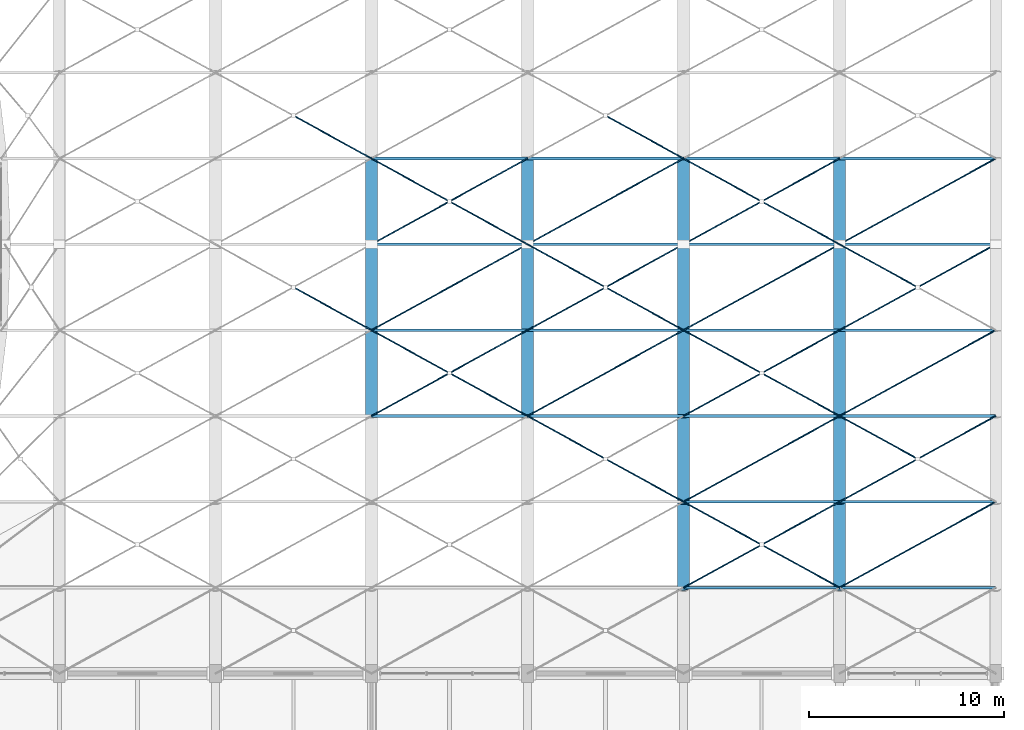
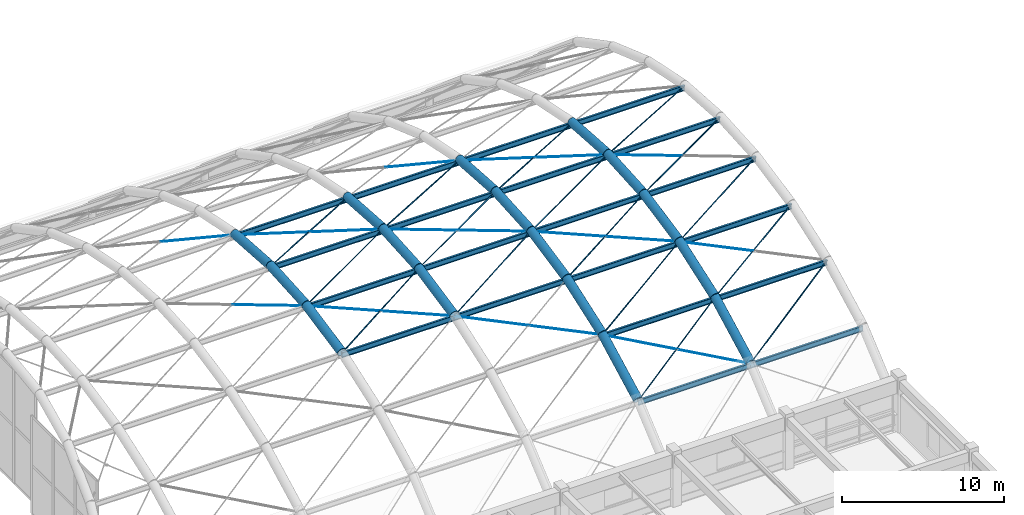
# One storey, part 83 of 126: 36 beams, 35 members.
"""IFC4 building model written with IfcOpenShell, lengths in metres."""

import ifcopenshell
import ifcopenshell.guid

model = None  # the IFC model being written
_history = None  # IfcOwnerHistory: only IFC2X3 demands one
_inside = {}  # id of a spatial element -> (the spatial element, [elements in it])
_under = {}  # id of a project, library or spatial element -> (it, [spatial elements below it])
_declared = {}  # id of a project -> (the project, [libraries it declares])
_typed = {}  # id of a type object -> (the type object, [elements of that type])
_made_of = {}  # id of a material, layer set ... -> (it, [elements and type objects made of it])


def new_model(schema):
    """Start an empty IFC model of exactly this schema.

    Asked for "IFC4X3", IfcOpenShell would pick the latest addendum, in which some entities
    have other attributes; the version numbers below select the first issue.
    IFC2X3 requires an IfcOwnerHistory on every rooted entity: one is made here for all.
    """
    global model, _history
    if schema == "IFC4X3":
        model = ifcopenshell.file(schema_version=(4, 3, 0, 0))
    else:
        model = ifcopenshell.file(schema=schema)
    _inside.clear()
    _under.clear()
    _declared.clear()
    _typed.clear()
    _made_of.clear()
    _history = None
    if model.schema == "IFC2X3":
        org = make("IfcOrganization", Name="unknown")
        user = make(
            "IfcPersonAndOrganization",
            ThePerson=make("IfcPerson", FamilyName="unknown"),
            TheOrganization=org,
        )
        app = make(
            "IfcApplication",
            ApplicationDeveloper=org,
            Version="unknown",
            ApplicationFullName="unknown",
            ApplicationIdentifier="unknown",
        )
        _history = make(
            "IfcOwnerHistory",
            OwningUser=user,
            OwningApplication=app,
            ChangeAction="ADDED",
            CreationDate=0,
        )
    return model


def make(cls, **values):
    """One entity of the class cls with the attributes given. An attribute that is None is left unset."""
    return model.create_entity(
        cls, **{name: value for name, value in values.items() if value is not None}
    )


def rooted(cls, **values):
    """An entity with a GlobalId (a new one), such as an element, a storey or a relation."""
    return make(cls, GlobalId=ifcopenshell.guid.new(), OwnerHistory=_history, **values)


def si_unit(unit_type, name, prefix=None):
    """IfcSIUnit, for example si_unit("LENGTHUNIT", "METRE", prefix="MILLI")."""
    return make("IfcSIUnit", UnitType=unit_type, Prefix=prefix, Name=name)


def assignment(units):
    """IfcUnitAssignment: the units of a project."""
    return None if units is None else make("IfcUnitAssignment", Units=units)


def point(xyz):
    """IfcCartesianPoint."""
    return None if xyz is None else make("IfcCartesianPoint", Coordinates=xyz)


def direction(xyz):
    """IfcDirection."""
    return None if xyz is None else make("IfcDirection", DirectionRatios=xyz)


def frame(location, z_axis=None, x_axis=None):
    """IfcAxis2Placement3D, a coordinate frame: its origin and axes. An axis left out is left unset."""
    return make(
        "IfcAxis2Placement3D",
        Location=point(location),
        Axis=direction(z_axis),
        RefDirection=direction(x_axis),
    )


def frame_2d(location, x_axis=None):
    """IfcAxis2Placement2D, a coordinate frame in the plane: its origin and x axis."""
    return make(
        "IfcAxis2Placement2D", Location=point(location), RefDirection=direction(x_axis)
    )


def origin():
    """The frame at (0, 0, 0) with its axes left unset."""
    return frame((0.0, 0.0, 0.0))


def origin_2d():
    """The frame at (0, 0) in the plane with its x axis left unset."""
    return frame_2d((0.0, 0.0))


def place(relative_to, where):
    """IfcLocalPlacement: puts the frame where relative to a parent placement (None: the world)."""
    return make(
        "IfcLocalPlacement", PlacementRelTo=relative_to, RelativePlacement=where
    )


def context(
    kind, dimensions, precision=None, world=None, true_north=None, identifier=None
):
    """IfcGeometricRepresentationContext, for example the 3D "Model" context."""
    return make(
        "IfcGeometricRepresentationContext",
        ContextIdentifier=identifier,
        ContextType=kind,
        CoordinateSpaceDimension=dimensions,
        Precision=precision,
        WorldCoordinateSystem=world,
        TrueNorth=true_north,
    )


def subcontext(parent, identifier, kind, view, scale=None):
    """IfcGeometricRepresentationSubContext, for example "Body" below "Model"."""
    return make(
        "IfcGeometricRepresentationSubContext",
        ContextIdentifier=identifier,
        ContextType=kind,
        ParentContext=parent,
        TargetScale=scale,
        TargetView=view,
    )


def project(units=None, contexts=None):
    """IfcProject with its units and contexts."""
    return rooted(
        "IfcProject",
        Name="project",
        RepresentationContexts=contexts,
        UnitsInContext=assignment(units),
    )


def spatial(cls, under=None, at=None, **own):
    """A site, building, storey or space (cls), placed at a placement, below another one or the project."""
    s = rooted(cls, ObjectPlacement=at, **own)
    if under is not None:
        _under.setdefault(under.id(), (under, []))[1].append(s)
    return s


def profile(cls, at=None, kind="AREA", **sizes):
    """A parametric profile (cls). Its sizes go by their IFC names, for example OverallWidth=200.0."""
    return make(cls, ProfileType=kind, Position=at, **sizes)


def circle(**sizes):
    """IfcCircleProfileDef."""
    return profile("IfcCircleProfileDef", **sizes)


def hollow_circle(**sizes):
    """IfcCircleHollowProfileDef."""
    return profile("IfcCircleHollowProfileDef", **sizes)


def i_section(**sizes):
    """IfcIShapeProfileDef."""
    return profile("IfcIShapeProfileDef", **sizes)


def extrude(swept, where, along, depth):
    """IfcExtrudedAreaSolid: the profile swept, set in the frame where, extruded along a direction by depth."""
    return make(
        "IfcExtrudedAreaSolid",
        SweptArea=swept,
        Position=where,
        ExtrudedDirection=direction(along),
        Depth=depth,
    )


def shape(context_of_items, identifier, shape_type, items):
    """IfcShapeRepresentation: the items that make up one representation, for example the "Body"."""
    return make(
        "IfcShapeRepresentation",
        ContextOfItems=context_of_items,
        RepresentationIdentifier=identifier,
        RepresentationType=shape_type,
        Items=items,
    )


def material(Name=None, Category=None):
    """IfcMaterial."""
    return make("IfcMaterial", Name=Name, Category=Category)


def material_profile(
    of_material, cross_section, Name=None, Category=None, Priority=None
):
    """IfcMaterialProfile: a cross section and its material."""
    return make(
        "IfcMaterialProfile",
        Name=Name,
        Material=of_material,
        Profile=cross_section,
        Priority=Priority,
        Category=Category,
    )


def profile_set(profiles, Name=None, composite=None):
    """IfcMaterialProfileSet."""
    return make(
        "IfcMaterialProfileSet",
        Name=Name,
        MaterialProfiles=profiles,
        CompositeProfile=composite,
    )


def made_of(thing, what):
    """Note that an element or type object is made of a material, layer set ...; save() writes the relation."""
    if what is not None:
        _made_of.setdefault(what.id(), (what, []))[1].append(thing)
    return thing


def type_object(cls, material=None, **own):
    """A type object (cls), such as IfcWallType, which elements share."""
    return made_of(rooted(cls, **own), material)


def element(
    cls,
    number,
    at=None,
    inside=None,
    cuts=None,
    type_object=None,
    material=None,
    context=None,
    identifier="Body",
    shape_type=None,
    held_by="IfcProductDefinitionShape",
    body=None,
    shapes=None,
    **own,
):
    """One element of the class cls, such as IfcWall. Its Tag is "e" and its number.

    at: its placement. inside: the storey or other place that contains it. cuts: it is an
    opening in that element (IfcRelVoidsElement). A single representation is given by context,
    identifier, shape_type and body (its items); several are given by shapes. held_by: the class
    of the entity that holds the representations. save() writes the other relations.
    """
    e = rooted(cls, Tag="e%d" % number, ObjectPlacement=at, **own)
    if body is not None:
        shapes = [shape(context, identifier, shape_type, body)]
    if shapes is not None:
        e.Representation = make(held_by, Representations=shapes)
    if inside is not None:
        _inside.setdefault(inside.id(), (inside, []))[1].append(e)
    if cuts is not None:
        rooted(
            "IfcRelVoidsElement", RelatingBuildingElement=cuts, RelatedOpeningElement=e
        )
    if type_object is not None:
        _typed.setdefault(type_object.id(), (type_object, []))[1].append(e)
    return made_of(e, material)


def aggregate(whole, parts):
    """IfcRelAggregates: a whole, such as a stair, and the parts it consists of."""
    return rooted("IfcRelAggregates", RelatingObject=whole, RelatedObjects=parts)


def save(model, path):
    """Write the relations noted so far, then the file.

    IfcRelAggregates (storeys below a building ...), IfcRelContainedInSpatialStructure (elements
    in a storey), IfcRelDefinesByType, IfcRelAssociatesMaterial and IfcRelDeclares: one each for
    every whole, place, type object, material and project.
    """
    for whole, parts in _under.values():
        aggregate(whole, parts)
    for where, things in _inside.values():
        rooted(
            "IfcRelContainedInSpatialStructure",
            RelatedElements=things,
            RelatingStructure=where,
        )
    for kind, things in _typed.values():
        rooted("IfcRelDefinesByType", RelatedObjects=things, RelatingType=kind)
    for what, things in _made_of.values():
        rooted("IfcRelAssociatesMaterial", RelatedObjects=things, RelatingMaterial=what)
    for by, libraries in _declared.values():
        rooted("IfcRelDeclares", RelatingContext=by, RelatedDefinitions=libraries)
    model.write(path)


model = new_model("IFC4")

# Units and contexts
model_context = context("Model", 3, precision=1e-05, world=origin(), true_north=direction((0.0, 1.0)))
body_context = subcontext(model_context, "Body", "Model", "MODEL_VIEW")
ifc_project = project(units=[si_unit("LENGTHUNIT", "METRE"), si_unit("AREAUNIT", "SQUARE_METRE"), si_unit("VOLUMEUNIT", "CUBIC_METRE"), si_unit("PLANEANGLEUNIT", "RADIAN"), si_unit("MASSUNIT", "GRAM", prefix="KILO")], contexts=[model_context])

# Site, building, storey
site_placement = place(None, origin())
site = spatial("IfcSite", under=ifc_project, at=site_placement, CompositionType="ELEMENT")
building_placement = place(site_placement, origin())
building = spatial("IfcBuilding", under=site, at=building_placement, Name="Varnabhumi Central Station", CompositionType="ELEMENT")
storey_placement = place(building_placement, frame((0.0, 0.0, 16.199951171875)))
storey = spatial("IfcBuildingStorey", under=building, at=storey_placement, Name="L03", CompositionType="ELEMENT", Elevation=16.199951171875)

# Beams
ifc_material_1 = material(Name="Structural steel E450", Category="steel")
ifc_material_profile_1 = material_profile(ifc_material_1, hollow_circle(Radius=0.304931640625, WallThickness=0.02490234375, at=origin_2d()), Name="Structural steel E450", Category="steel")
ifc_profile_set_1 = profile_set([ifc_material_profile_1], Name="Structural steel E450")
beam_type_1 = type_object("IfcBeamType", Name="BM-ARCH-CHS610", PredefinedType="BEAM", material=ifc_profile_set_1)
beam_1_placement = place(storey_placement, frame((152.0, 49.199951171875, 8.950927734375), z_axis=(0.0, 0.979624368007, 0.200838486367), x_axis=(-1.0, 0.0, 0.0)))
element("IfcBeam", 1, at=beam_1_placement, inside=storey, type_object=beam_type_1, Name="Platform Train-Shed Vault Arch Rib 4 Seg 4", PredefinedType="BEAM", context=body_context, shape_type="SweptSolid", body=[
    extrude(hollow_circle(Radius=0.304931640625, WallThickness=0.02490234375, at=origin_2d()), origin(), (0.0, 0.0, 1.0), 4.49169921875),
])
for number, where, z_axis, x_axis, name in (
    (2, (152.0, 53.60009765625, 9.85302734375), (0.0, 0.997727714155, 0.067375131957), (-1.0, 0.0, 0.0), "Platform Train-Shed Vault Arch Rib 4 Seg 5"),
    (3, (152.0, 58.0, 10.150146484375), (0.0, 0.997727714155, -0.067375131957), (-1.0, 0.0, 0.0), "Platform Train-Shed Vault Arch Rib 4 Seg 6"),
):
    element("IfcBeam", number, at=place(storey_placement, frame(where, z_axis=z_axis, x_axis=x_axis)), inside=storey, type_object=beam_type_1, Name=name, PredefinedType="BEAM", context=body_context, shape_type="SweptSolid", body=[
        extrude(hollow_circle(Radius=0.304931640625, WallThickness=0.02490234375, at=origin_2d()), origin(), (0.0, 0.0, 1.0), 4.409912109375),
    ])
beam_2_placement = place(storey_placement, frame((160.0, 49.199951171875, 8.950927734375), z_axis=(0.0, 0.979624368007, 0.200838486367), x_axis=(-1.0, 0.0, 0.0)))
element("IfcBeam", 4, at=beam_2_placement, inside=storey, type_object=beam_type_1, Name="Platform Train-Shed Vault Arch Rib 5 Seg 4", PredefinedType="BEAM", context=body_context, shape_type="SweptSolid", body=[
    extrude(hollow_circle(Radius=0.304931640625, WallThickness=0.02490234375, at=origin_2d()), origin(), (0.0, 0.0, 1.0), 4.49169921875),
])
for number, where, z_axis, x_axis, name in (
    (5, (160.0, 53.60009765625, 9.85302734375), (0.0, 0.997727714155, 0.067375131957), (-1.0, 0.0, 0.0), "Platform Train-Shed Vault Arch Rib 5 Seg 5"),
    (6, (160.0, 58.0, 10.150146484375), (0.0, 0.997727714155, -0.067375131957), (-1.0, 0.0, 0.0), "Platform Train-Shed Vault Arch Rib 5 Seg 6"),
):
    element("IfcBeam", number, at=place(storey_placement, frame(where, z_axis=z_axis, x_axis=x_axis)), inside=storey, type_object=beam_type_1, Name=name, PredefinedType="BEAM", context=body_context, shape_type="SweptSolid", body=[
        extrude(hollow_circle(Radius=0.304931640625, WallThickness=0.02490234375, at=origin_2d()), origin(), (0.0, 0.0, 1.0), 4.409912109375),
    ])
beam_3_placement = place(storey_placement, frame((168.0, 40.39990234375, 5.0966796875), z_axis=(0.0, 0.88562177592, 0.464407224337), x_axis=(-1.0, 0.0, 0.0)))
element("IfcBeam", 7, at=beam_3_placement, inside=storey, type_object=beam_type_1, Name="Platform Train-Shed Vault Arch Rib 6 Seg 2", PredefinedType="BEAM", context=body_context, shape_type="SweptSolid", body=[
    extrude(hollow_circle(Radius=0.304931640625, WallThickness=0.02490234375, at=origin_2d()), origin(), (0.0, 0.0, 1.0), 4.968505859375),
])
beam_4_placement = place(storey_placement, frame((168.0, 44.800048828125, 7.404052734375), z_axis=(0.0, 0.943395522007, 0.331669849486), x_axis=(-1.0, 0.0, 0.0)))
element("IfcBeam", 8, at=beam_4_placement, inside=storey, type_object=beam_type_1, Name="Platform Train-Shed Vault Arch Rib 6 Seg 3", PredefinedType="BEAM", context=body_context, shape_type="SweptSolid", body=[
    extrude(hollow_circle(Radius=0.304931640625, WallThickness=0.02490234375, at=origin_2d()), origin(), (0.0, 0.0, 1.0), 4.663818359375),
])
beam_5_placement = place(storey_placement, frame((168.0, 49.199951171875, 8.950927734375), z_axis=(0.0, 0.979624368007, 0.200838486367), x_axis=(-1.0, 0.0, 0.0)))
element("IfcBeam", 9, at=beam_5_placement, inside=storey, type_object=beam_type_1, Name="Platform Train-Shed Vault Arch Rib 6 Seg 4", PredefinedType="BEAM", context=body_context, shape_type="SweptSolid", body=[
    extrude(hollow_circle(Radius=0.304931640625, WallThickness=0.02490234375, at=origin_2d()), origin(), (0.0, 0.0, 1.0), 4.49169921875),
])
for number, where, z_axis, x_axis, name in (
    (10, (168.0, 53.60009765625, 9.85302734375), (0.0, 0.997727714155, 0.067375131957), (-1.0, 0.0, 0.0), "Platform Train-Shed Vault Arch Rib 6 Seg 5"),
    (11, (168.0, 58.0, 10.150146484375), (0.0, 0.997727714155, -0.067375131957), (-1.0, 0.0, 0.0), "Platform Train-Shed Vault Arch Rib 6 Seg 6"),
):
    element("IfcBeam", number, at=place(storey_placement, frame(where, z_axis=z_axis, x_axis=x_axis)), inside=storey, type_object=beam_type_1, Name=name, PredefinedType="BEAM", context=body_context, shape_type="SweptSolid", body=[
        extrude(hollow_circle(Radius=0.304931640625, WallThickness=0.02490234375, at=origin_2d()), origin(), (0.0, 0.0, 1.0), 4.409912109375),
    ])
beam_6_placement = place(storey_placement, frame((176.0, 40.39990234375, 5.0966796875), z_axis=(0.0, 0.88562177592, 0.464407224337), x_axis=(-1.0, 0.0, 0.0)))
element("IfcBeam", 12, at=beam_6_placement, inside=storey, type_object=beam_type_1, Name="Platform Train-Shed Vault Arch Rib 7 Seg 2", PredefinedType="BEAM", context=body_context, shape_type="SweptSolid", body=[
    extrude(hollow_circle(Radius=0.304931640625, WallThickness=0.02490234375, at=origin_2d()), origin(), (0.0, 0.0, 1.0), 4.968505859375),
])
beam_7_placement = place(storey_placement, frame((176.0, 44.800048828125, 7.404052734375), z_axis=(0.0, 0.943395522007, 0.331669849486), x_axis=(-1.0, 0.0, 0.0)))
element("IfcBeam", 13, at=beam_7_placement, inside=storey, type_object=beam_type_1, Name="Platform Train-Shed Vault Arch Rib 7 Seg 3", PredefinedType="BEAM", context=body_context, shape_type="SweptSolid", body=[
    extrude(hollow_circle(Radius=0.304931640625, WallThickness=0.02490234375, at=origin_2d()), origin(), (0.0, 0.0, 1.0), 4.663818359375),
])
beam_8_placement = place(storey_placement, frame((176.0, 49.199951171875, 8.950927734375), z_axis=(0.0, 0.979624368007, 0.200838486367), x_axis=(-1.0, 0.0, 0.0)))
element("IfcBeam", 14, at=beam_8_placement, inside=storey, type_object=beam_type_1, Name="Platform Train-Shed Vault Arch Rib 7 Seg 4", PredefinedType="BEAM", context=body_context, shape_type="SweptSolid", body=[
    extrude(hollow_circle(Radius=0.304931640625, WallThickness=0.02490234375, at=origin_2d()), origin(), (0.0, 0.0, 1.0), 4.49169921875),
])
for number, where, z_axis, x_axis, name in (
    (15, (176.0, 53.60009765625, 9.85302734375), (0.0, 0.997727714155, 0.067375131957), (-1.0, 0.0, 0.0), "Platform Train-Shed Vault Arch Rib 7 Seg 5"),
    (16, (176.0, 58.0, 10.150146484375), (0.0, 0.997727714155, -0.067375131957), (-1.0, 0.0, 0.0), "Platform Train-Shed Vault Arch Rib 7 Seg 6"),
):
    element("IfcBeam", number, at=place(storey_placement, frame(where, z_axis=z_axis, x_axis=x_axis)), inside=storey, type_object=beam_type_1, Name=name, PredefinedType="BEAM", context=body_context, shape_type="SweptSolid", body=[
        extrude(hollow_circle(Radius=0.304931640625, WallThickness=0.02490234375, at=origin_2d()), origin(), (0.0, 0.0, 1.0), 4.409912109375),
    ])
ifc_material_2 = material(Name="Structural steel E350", Category="steel")
ifc_material_profile_2 = material_profile(ifc_material_2, i_section(OverallWidth=0.139892578125, OverallDepth=0.39990234375, WebThickness=0.0087890625, FlangeThickness=0.01611328125, FilletRadius=0.013916015625, at=origin_2d()), Name="Structural steel E350", Category="steel")
ifc_profile_set_2 = profile_set([ifc_material_profile_2], Name="Structural steel E350")
beam_type_2 = type_object("IfcBeamType", Name="BM-PUR-ISMB400", PredefinedType="LINTEL", material=ifc_profile_set_2)
for number, where, z_axis, x_axis, name in (
    (17, (152.0, 49.199951171875, 8.7509765625), (1.0, 0.0, 0.0), (0.0, 1.0, 0.0), "Platform Train-Shed Vault Purlin B4-L3"),
    (18, (152.0, 53.60009765625, 9.65283203125), (1.0, 0.0, 0.0), (0.0, 1.0, 0.0), "Platform Train-Shed Vault Purlin B4-L4"),
    (19, (152.0, 58.0, 9.949951171875), (1.0, 0.0, 0.0), (0.0, 1.0, 0.0), "Platform Train-Shed Vault Purlin B4-L5"),
    (20, (152.0, 62.39990234375, 9.65283203125), (1.0, 0.0, 0.0), (0.0, 1.0, 0.0), "Platform Train-Shed Vault Purlin B4-L6"),
    (21, (160.0, 49.199951171875, 8.7509765625), (1.0, 0.0, 0.0), (0.0, 1.0, 0.0), "Platform Train-Shed Vault Purlin B5-L3"),
    (22, (160.0, 53.60009765625, 9.65283203125), (1.0, 0.0, 0.0), (0.0, 1.0, 0.0), "Platform Train-Shed Vault Purlin B5-L4"),
    (23, (160.0, 58.0, 9.949951171875), (1.0, 0.0, 0.0), (0.0, 1.0, 0.0), "Platform Train-Shed Vault Purlin B5-L5"),
    (24, (160.0, 62.39990234375, 9.65283203125), (1.0, 0.0, 0.0), (0.0, 1.0, 0.0), "Platform Train-Shed Vault Purlin B5-L6"),
    (25, (168.0, 40.39990234375, 4.896728515625), (1.0, 0.0, 0.0), (0.0, 1.0, 0.0), "Platform Train-Shed Vault Purlin B6-L1"),
    (26, (168.0, 44.800048828125, 7.203857421875), (1.0, 0.0, 0.0), (0.0, 1.0, 0.0), "Platform Train-Shed Vault Purlin B6-L2"),
    (27, (168.0, 49.199951171875, 8.7509765625), (1.0, 0.0, 0.0), (0.0, 1.0, 0.0), "Platform Train-Shed Vault Purlin B6-L3"),
    (28, (168.0, 53.60009765625, 9.65283203125), (1.0, 0.0, 0.0), (0.0, 1.0, 0.0), "Platform Train-Shed Vault Purlin B6-L4"),
    (29, (168.0, 58.0, 9.949951171875), (1.0, 0.0, 0.0), (0.0, 1.0, 0.0), "Platform Train-Shed Vault Purlin B6-L5"),
    (30, (168.0, 62.39990234375, 9.65283203125), (1.0, 0.0, 0.0), (0.0, 1.0, 0.0), "Platform Train-Shed Vault Purlin B6-L6"),
    (31, (176.0, 40.39990234375, 4.896728515625), (1.0, 0.0, 0.0), (0.0, 1.0, 0.0), "Platform Train-Shed Vault Purlin B7-L1"),
    (32, (176.0, 44.800048828125, 7.203857421875), (1.0, 0.0, 0.0), (0.0, 1.0, 0.0), "Platform Train-Shed Vault Purlin B7-L2"),
    (33, (176.0, 49.199951171875, 8.7509765625), (1.0, 0.0, 0.0), (0.0, 1.0, 0.0), "Platform Train-Shed Vault Purlin B7-L3"),
    (34, (176.0, 53.60009765625, 9.65283203125), (1.0, 0.0, 0.0), (0.0, 1.0, 0.0), "Platform Train-Shed Vault Purlin B7-L4"),
    (35, (176.0, 58.0, 9.949951171875), (1.0, 0.0, 0.0), (0.0, 1.0, 0.0), "Platform Train-Shed Vault Purlin B7-L5"),
    (36, (176.0, 62.39990234375, 9.65283203125), (1.0, 0.0, 0.0), (0.0, 1.0, 0.0), "Platform Train-Shed Vault Purlin B7-L6"),
):
    element("IfcBeam", number, at=place(storey_placement, frame(where, z_axis=z_axis, x_axis=x_axis)), inside=storey, type_object=beam_type_2, Name=name, PredefinedType="LINTEL", context=body_context, shape_type="SweptSolid", body=[
        extrude(i_section(OverallWidth=0.139892578125, OverallDepth=0.39990234375, WebThickness=0.0087890625, FlangeThickness=0.01611328125, FilletRadius=0.013916015625, at=origin_2d()), origin(), (0.0, 0.0, 1.0), 8.0),
    ])

# Members
ifc_material_3 = material(Name="Spiral-strand steel S1570", Category="steel")
ifc_material_profile_3 = material_profile(ifc_material_3, circle(Radius=0.030029296875, at=origin_2d()), Name="Spiral-strand steel S1570", Category="steel")
ifc_profile_set_3 = profile_set([ifc_material_profile_3], Name="Spiral-strand steel S1570")
member_type = type_object("IfcMemberType", Name="MBR-CABLE-D60", PredefinedType="USERDEFINED", material=ifc_profile_set_3)
member_1_placement = place(storey_placement, frame((148.0, 55.800048828125, 9.92138671875), z_axis=(0.87575758275, -0.481655980113, -0.032498816547), x_axis=(0.481910537812, 0.876220425204, 0.0)))
element("IfcMember", 37, at=member_1_placement, inside=storey, type_object=member_type, Name="Platform Train-Shed Vault Cable-Net Split Tie B3-P5B2", ObjectType="TENSION CABLE", PredefinedType="USERDEFINED", context=body_context, shape_type="SweptSolid", body=[
    extrude(circle(Radius=0.030029296875, at=origin_2d()), origin(), (0.0, 0.0, 1.0), 4.5673828125),
])
member_2_placement = place(storey_placement, frame((148.0, 64.60009765625, 9.322021484375), z_axis=(0.871954513788, -0.479617558487, 0.098297118345), x_axis=(0.481951596342, 0.876197842262, 0.0)))
element("IfcMember", 38, at=member_2_placement, inside=storey, type_object=member_type, Name="Platform Train-Shed Vault Cable-Net Split Tie B3-P7B2", ObjectType="TENSION CABLE", PredefinedType="USERDEFINED", context=body_context, shape_type="SweptSolid", body=[
    extrude(circle(Radius=0.030029296875, at=origin_2d()), origin(), (0.0, 0.0, 1.0), 4.58740234375),
])
member_3_placement = place(storey_placement, frame((152.0, 49.199951171875, 8.870849609375), z_axis=(0.871963360953, 0.47959581465, 0.098324725913), x_axis=(-0.481931067474, 0.876209133828, 0.0)))
element("IfcMember", 39, at=member_3_placement, inside=storey, type_object=member_type, Name="Platform Train-Shed Vault Cable-Net Tie B4-P4A", ObjectType="TENSION CABLE", PredefinedType="USERDEFINED", context=body_context, shape_type="SweptSolid", body=[
    extrude(circle(Radius=0.030029296875, at=origin_2d()), origin(), (0.0, 0.0, 1.0), 9.1748046875),
])
for number, where, z_axis, x_axis, name in (
    (40, (152.0, 53.60009765625, 9.77294921875), (0.871954513788, -0.479617558487, -0.098297118345), (0.481951596342, 0.876197842262, 0.0), "Platform Train-Shed Vault Cable-Net Split Tie B4-P4B1"),
    (41, (156.0, 51.39990234375, 9.322021484375), (0.871972207152, -0.479574069742, -0.098352333912), (0.481910537812, 0.876220425204, 0.0), "Platform Train-Shed Vault Cable-Net Split Tie B4-P4B2"),
):
    element("IfcMember", number, at=place(storey_placement, frame(where, z_axis=z_axis, x_axis=x_axis)), inside=storey, type_object=member_type, Name=name, ObjectType="TENSION CABLE", PredefinedType="USERDEFINED", context=body_context, shape_type="SweptSolid", body=[
        extrude(circle(Radius=0.030029296875, at=origin_2d()), origin(), (0.0, 0.0, 1.0), 4.58740234375),
    ])
for number, where, z_axis, x_axis, name in (
    (42, (152.0, 53.60009765625, 9.77294921875), (0.875756821788, 0.481655561592, 0.032525514286), (-0.481910537812, 0.876220425204, 0.0), "Platform Train-Shed Vault Cable-Net Tie B4-P5A"),
    (43, (152.0, 58.0, 10.070068359375), (0.875756821788, 0.481655561592, -0.032525514286), (-0.481910537812, 0.876220425204, 0.0), "Platform Train-Shed Vault Cable-Net Tie B4-P6A"),
):
    element("IfcMember", number, at=place(storey_placement, frame(where, z_axis=z_axis, x_axis=x_axis)), inside=storey, type_object=member_type, Name=name, ObjectType="TENSION CABLE", PredefinedType="USERDEFINED", context=body_context, shape_type="SweptSolid", body=[
        extrude(circle(Radius=0.030029296875, at=origin_2d()), origin(), (0.0, 0.0, 1.0), 9.135009765625),
    ])
for number, where, z_axis, x_axis, name in (
    (44, (152.0, 62.39990234375, 9.77294921875), (0.87575758275, -0.481655980113, 0.032498816547), (0.481910537812, 0.876220425204, 0.0), "Platform Train-Shed Vault Cable-Net Split Tie B4-P6B1"),
    (45, (156.0, 60.199951171875, 9.92138671875), (0.875756060201, -0.481655142729, 0.032552211955), (0.481910537812, 0.876220425204, 0.0), "Platform Train-Shed Vault Cable-Net Split Tie B4-P6B2"),
):
    element("IfcMember", number, at=place(storey_placement, frame(where, z_axis=z_axis, x_axis=x_axis)), inside=storey, type_object=member_type, Name=name, ObjectType="TENSION CABLE", PredefinedType="USERDEFINED", context=body_context, shape_type="SweptSolid", body=[
        extrude(circle(Radius=0.030029296875, at=origin_2d()), origin(), (0.0, 0.0, 1.0), 4.5673828125),
    ])
for number, where, z_axis, x_axis, name in (
    (46, (160.0, 49.199951171875, 8.870849609375), (0.863908907652, -0.475139353446, -0.167044886441), (0.481910537812, 0.876220425204, 0.0), "Platform Train-Shed Vault Cable-Net Split Tie B5-P3B1"),
    (47, (164.0, 47.0, 8.097412109375), (0.863908907652, -0.475139353446, -0.167044886441), (0.481910537812, 0.876220425204, 0.0), "Platform Train-Shed Vault Cable-Net Split Tie B5-P3B2"),
):
    element("IfcMember", number, at=place(storey_placement, frame(where, z_axis=z_axis, x_axis=x_axis)), inside=storey, type_object=member_type, Name=name, ObjectType="TENSION CABLE", PredefinedType="USERDEFINED", context=body_context, shape_type="SweptSolid", body=[
        extrude(circle(Radius=0.030029296875, at=origin_2d()), origin(), (0.0, 0.0, 1.0), 4.630126953125),
    ])
member_4_placement = place(storey_placement, frame((160.0, 49.199951171875, 8.870849609375), z_axis=(0.871963360953, 0.47959581465, 0.098324725913), x_axis=(-0.481931067474, 0.876209133828, 0.0)))
element("IfcMember", 48, at=member_4_placement, inside=storey, type_object=member_type, Name="Platform Train-Shed Vault Cable-Net Tie B5-P4A", ObjectType="TENSION CABLE", PredefinedType="USERDEFINED", context=body_context, shape_type="SweptSolid", body=[
    extrude(circle(Radius=0.030029296875, at=origin_2d()), origin(), (0.0, 0.0, 1.0), 9.1748046875),
])
member_5_placement = place(storey_placement, frame((160.0, 53.60009765625, 9.77294921875), z_axis=(0.875756821788, 0.481655561592, 0.032525514286), x_axis=(-0.481910537812, 0.876220425204, 0.0)))
element("IfcMember", 49, at=member_5_placement, inside=storey, type_object=member_type, Name="Platform Train-Shed Vault Cable-Net Tie B5-P5A", ObjectType="TENSION CABLE", PredefinedType="USERDEFINED", context=body_context, shape_type="SweptSolid", body=[
    extrude(circle(Radius=0.030029296875, at=origin_2d()), origin(), (0.0, 0.0, 1.0), 9.135009765625),
])
for number, where, z_axis, x_axis, name in (
    (50, (160.0, 58.0, 10.070068359375), (0.875756060201, -0.481655142729, -0.032552211955), (0.481910537812, 0.876220425204, 0.0), "Platform Train-Shed Vault Cable-Net Split Tie B5-P5B1"),
    (51, (164.0, 55.800048828125, 9.92138671875), (0.87575758275, -0.481655980113, -0.032498816547), (0.481910537812, 0.876220425204, 0.0), "Platform Train-Shed Vault Cable-Net Split Tie B5-P5B2"),
):
    element("IfcMember", number, at=place(storey_placement, frame(where, z_axis=z_axis, x_axis=x_axis)), inside=storey, type_object=member_type, Name=name, ObjectType="TENSION CABLE", PredefinedType="USERDEFINED", context=body_context, shape_type="SweptSolid", body=[
        extrude(circle(Radius=0.030029296875, at=origin_2d()), origin(), (0.0, 0.0, 1.0), 4.5673828125),
    ])
member_6_placement = place(storey_placement, frame((160.0, 58.0, 10.070068359375), z_axis=(0.875756821788, 0.481655561592, -0.032525514286), x_axis=(-0.481910537812, 0.876220425204, 0.0)))
element("IfcMember", 52, at=member_6_placement, inside=storey, type_object=member_type, Name="Platform Train-Shed Vault Cable-Net Tie B5-P6A", ObjectType="TENSION CABLE", PredefinedType="USERDEFINED", context=body_context, shape_type="SweptSolid", body=[
    extrude(circle(Radius=0.030029296875, at=origin_2d()), origin(), (0.0, 0.0, 1.0), 9.135009765625),
])
member_7_placement = place(storey_placement, frame((164.0, 64.60009765625, 9.322021484375), z_axis=(0.871954513788, -0.479617558487, 0.098297118345), x_axis=(0.481951596342, 0.876197842262, 0.0)))
element("IfcMember", 53, at=member_7_placement, inside=storey, type_object=member_type, Name="Platform Train-Shed Vault Cable-Net Split Tie B5-P7B2", ObjectType="TENSION CABLE", PredefinedType="USERDEFINED", context=body_context, shape_type="SweptSolid", body=[
    extrude(circle(Radius=0.030029296875, at=origin_2d()), origin(), (0.0, 0.0, 1.0), 4.58740234375),
])
member_8_placement = place(storey_placement, frame((168.0, 40.39990234375, 5.0166015625), z_axis=(0.849501727798, 0.46724150513, 0.245014673749), x_axis=(-0.481931067474, 0.876209133828, 0.0)))
element("IfcMember", 54, at=member_8_placement, inside=storey, type_object=member_type, Name="Platform Train-Shed Vault Cable-Net Tie B6-P2A", ObjectType="TENSION CABLE", PredefinedType="USERDEFINED", context=body_context, shape_type="SweptSolid", body=[
    extrude(circle(Radius=0.030029296875, at=origin_2d()), origin(), (0.0, 0.0, 1.0), 9.417236328125),
])
member_9_placement = place(storey_placement, frame((168.0, 44.800048828125, 7.323974609375), z_axis=(0.849517413756, -0.46722420748, -0.244993272705), x_axis=(0.481910537812, 0.876220425204, 0.0)))
element("IfcMember", 55, at=member_9_placement, inside=storey, type_object=member_type, Name="Platform Train-Shed Vault Cable-Net Split Tie B6-P2B1", ObjectType="TENSION CABLE", PredefinedType="USERDEFINED", context=body_context, shape_type="SweptSolid", body=[
    extrude(circle(Radius=0.030029296875, at=origin_2d()), origin(), (0.0, 0.0, 1.0), 4.70849609375),
])
member_10_placement = place(storey_placement, frame((172.0, 42.60009765625, 6.17041015625), z_axis=(0.849486041567, -0.467258801672, -0.245036073758), x_axis=(0.481951596342, 0.876197842262, 0.0)))
element("IfcMember", 56, at=member_10_placement, inside=storey, type_object=member_type, Name="Platform Train-Shed Vault Cable-Net Split Tie B6-P2B2", ObjectType="TENSION CABLE", PredefinedType="USERDEFINED", context=body_context, shape_type="SweptSolid", body=[
    extrude(circle(Radius=0.030029296875, at=origin_2d()), origin(), (0.0, 0.0, 1.0), 4.708740234375),
])
member_11_placement = place(storey_placement, frame((168.0, 44.800048828125, 7.323974609375), z_axis=(0.863908907652, 0.475139353446, 0.167044886441), x_axis=(-0.481910537812, 0.876220425204, 0.0)))
element("IfcMember", 57, at=member_11_placement, inside=storey, type_object=member_type, Name="Platform Train-Shed Vault Cable-Net Tie B6-P3A", ObjectType="TENSION CABLE", PredefinedType="USERDEFINED", context=body_context, shape_type="SweptSolid", body=[
    extrude(circle(Radius=0.030029296875, at=origin_2d()), origin(), (0.0, 0.0, 1.0), 9.26025390625),
])
member_12_placement = place(storey_placement, frame((168.0, 49.199951171875, 8.870849609375), z_axis=(0.871963360953, 0.47959581465, 0.098324725913), x_axis=(-0.481931067474, 0.876209133828, 0.0)))
element("IfcMember", 58, at=member_12_placement, inside=storey, type_object=member_type, Name="Platform Train-Shed Vault Cable-Net Tie B6-P4A", ObjectType="TENSION CABLE", PredefinedType="USERDEFINED", context=body_context, shape_type="SweptSolid", body=[
    extrude(circle(Radius=0.030029296875, at=origin_2d()), origin(), (0.0, 0.0, 1.0), 9.1748046875),
])
for number, where, z_axis, x_axis, name in (
    (59, (168.0, 53.60009765625, 9.77294921875), (0.871954513788, -0.479617558487, -0.098297118345), (0.481951596342, 0.876197842262, 0.0), "Platform Train-Shed Vault Cable-Net Split Tie B6-P4B1"),
    (60, (172.0, 51.39990234375, 9.322021484375), (0.871972207152, -0.479574069742, -0.098352333912), (0.481910537812, 0.876220425204, 0.0), "Platform Train-Shed Vault Cable-Net Split Tie B6-P4B2"),
):
    element("IfcMember", number, at=place(storey_placement, frame(where, z_axis=z_axis, x_axis=x_axis)), inside=storey, type_object=member_type, Name=name, ObjectType="TENSION CABLE", PredefinedType="USERDEFINED", context=body_context, shape_type="SweptSolid", body=[
        extrude(circle(Radius=0.030029296875, at=origin_2d()), origin(), (0.0, 0.0, 1.0), 4.58740234375),
    ])
for number, where, z_axis, x_axis, name in (
    (61, (168.0, 53.60009765625, 9.77294921875), (0.875756821788, 0.481655561592, 0.032525514286), (-0.481910537812, 0.876220425204, 0.0), "Platform Train-Shed Vault Cable-Net Tie B6-P5A"),
    (62, (168.0, 58.0, 10.070068359375), (0.875756821788, 0.481655561592, -0.032525514286), (-0.481910537812, 0.876220425204, 0.0), "Platform Train-Shed Vault Cable-Net Tie B6-P6A"),
):
    element("IfcMember", number, at=place(storey_placement, frame(where, z_axis=z_axis, x_axis=x_axis)), inside=storey, type_object=member_type, Name=name, ObjectType="TENSION CABLE", PredefinedType="USERDEFINED", context=body_context, shape_type="SweptSolid", body=[
        extrude(circle(Radius=0.030029296875, at=origin_2d()), origin(), (0.0, 0.0, 1.0), 9.135009765625),
    ])
for number, where, z_axis, x_axis, name in (
    (63, (168.0, 62.39990234375, 9.77294921875), (0.87575758275, -0.481655980113, 0.032498816547), (0.481910537812, 0.876220425204, 0.0), "Platform Train-Shed Vault Cable-Net Split Tie B6-P6B1"),
    (64, (172.0, 60.199951171875, 9.92138671875), (0.875756060201, -0.481655142729, 0.032552211955), (0.481910537812, 0.876220425204, 0.0), "Platform Train-Shed Vault Cable-Net Split Tie B6-P6B2"),
):
    element("IfcMember", number, at=place(storey_placement, frame(where, z_axis=z_axis, x_axis=x_axis)), inside=storey, type_object=member_type, Name=name, ObjectType="TENSION CABLE", PredefinedType="USERDEFINED", context=body_context, shape_type="SweptSolid", body=[
        extrude(circle(Radius=0.030029296875, at=origin_2d()), origin(), (0.0, 0.0, 1.0), 4.5673828125),
    ])
member_13_placement = place(storey_placement, frame((176.0, 40.39990234375, 5.0166015625), z_axis=(0.849501727798, 0.46724150513, 0.245014673749), x_axis=(-0.481931067474, 0.876209133828, 0.0)))
element("IfcMember", 65, at=member_13_placement, inside=storey, type_object=member_type, Name="Platform Train-Shed Vault Cable-Net Tie B7-P2A", ObjectType="TENSION CABLE", PredefinedType="USERDEFINED", context=body_context, shape_type="SweptSolid", body=[
    extrude(circle(Radius=0.030029296875, at=origin_2d()), origin(), (0.0, 0.0, 1.0), 9.417236328125),
])
member_14_placement = place(storey_placement, frame((176.0, 44.800048828125, 7.323974609375), z_axis=(0.863908907652, 0.475139353446, 0.167044886441), x_axis=(-0.481910537812, 0.876220425204, 0.0)))
element("IfcMember", 66, at=member_14_placement, inside=storey, type_object=member_type, Name="Platform Train-Shed Vault Cable-Net Tie B7-P3A", ObjectType="TENSION CABLE", PredefinedType="USERDEFINED", context=body_context, shape_type="SweptSolid", body=[
    extrude(circle(Radius=0.030029296875, at=origin_2d()), origin(), (0.0, 0.0, 1.0), 9.26025390625),
])
member_15_placement = place(storey_placement, frame((176.0, 49.199951171875, 8.870849609375), z_axis=(0.863908907652, -0.475139353446, -0.167044886441), x_axis=(0.481910537812, 0.876220425204, 0.0)))
element("IfcMember", 67, at=member_15_placement, inside=storey, type_object=member_type, Name="Platform Train-Shed Vault Cable-Net Split Tie B7-P3B1", ObjectType="TENSION CABLE", PredefinedType="USERDEFINED", context=body_context, shape_type="SweptSolid", body=[
    extrude(circle(Radius=0.030029296875, at=origin_2d()), origin(), (0.0, 0.0, 1.0), 4.630126953125),
])
member_16_placement = place(storey_placement, frame((176.0, 49.199951171875, 8.870849609375), z_axis=(0.871963360953, 0.47959581465, 0.098324725913), x_axis=(-0.481931067474, 0.876209133828, 0.0)))
element("IfcMember", 68, at=member_16_placement, inside=storey, type_object=member_type, Name="Platform Train-Shed Vault Cable-Net Tie B7-P4A", ObjectType="TENSION CABLE", PredefinedType="USERDEFINED", context=body_context, shape_type="SweptSolid", body=[
    extrude(circle(Radius=0.030029296875, at=origin_2d()), origin(), (0.0, 0.0, 1.0), 9.1748046875),
])
member_17_placement = place(storey_placement, frame((176.0, 53.60009765625, 9.77294921875), z_axis=(0.875756821788, 0.481655561592, 0.032525514286), x_axis=(-0.481910537812, 0.876220425204, 0.0)))
element("IfcMember", 69, at=member_17_placement, inside=storey, type_object=member_type, Name="Platform Train-Shed Vault Cable-Net Tie B7-P5A", ObjectType="TENSION CABLE", PredefinedType="USERDEFINED", context=body_context, shape_type="SweptSolid", body=[
    extrude(circle(Radius=0.030029296875, at=origin_2d()), origin(), (0.0, 0.0, 1.0), 9.135009765625),
])
member_18_placement = place(storey_placement, frame((176.0, 58.0, 10.070068359375), z_axis=(0.875756060201, -0.481655142729, -0.032552211955), x_axis=(0.481910537812, 0.876220425204, 0.0)))
element("IfcMember", 70, at=member_18_placement, inside=storey, type_object=member_type, Name="Platform Train-Shed Vault Cable-Net Split Tie B7-P5B1", ObjectType="TENSION CABLE", PredefinedType="USERDEFINED", context=body_context, shape_type="SweptSolid", body=[
    extrude(circle(Radius=0.030029296875, at=origin_2d()), origin(), (0.0, 0.0, 1.0), 4.5673828125),
])
member_19_placement = place(storey_placement, frame((176.0, 58.0, 10.070068359375), z_axis=(0.875756821788, 0.481655561592, -0.032525514286), x_axis=(-0.481910537812, 0.876220425204, 0.0)))
element("IfcMember", 71, at=member_19_placement, inside=storey, type_object=member_type, Name="Platform Train-Shed Vault Cable-Net Tie B7-P6A", ObjectType="TENSION CABLE", PredefinedType="USERDEFINED", context=body_context, shape_type="SweptSolid", body=[
    extrude(circle(Radius=0.030029296875, at=origin_2d()), origin(), (0.0, 0.0, 1.0), 9.135009765625),
])

save(model, "model.ifc")
